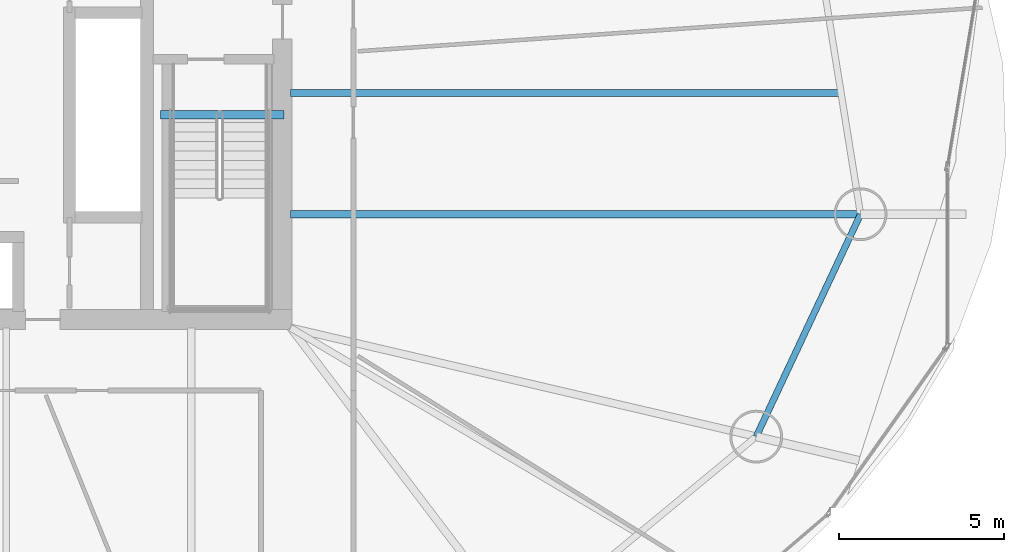
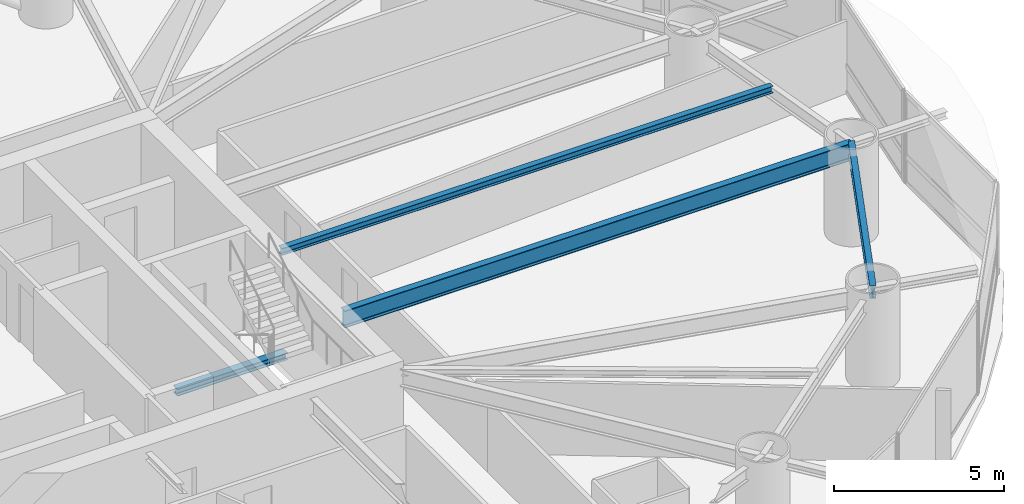
# One storey, part 9 of 25: 4 beams.
"""IFC4 building model written with IfcOpenShell, lengths in metres."""

from ifc_helpers import new_model, si_unit, direction, frame, origin, origin_2d, place, context, subcontext, project, spatial, i_section, extrude, material, material_profile, profile_set, type_object, element, save


model = new_model("IFC4")

# Units and contexts
model_context = context("Model", 3, precision=1e-05, world=origin(), true_north=direction((0.0, 1.0)))
body_context = subcontext(model_context, "Body", "Model", "MODEL_VIEW")
ifc_project = project(units=[si_unit("LENGTHUNIT", "METRE"), si_unit("AREAUNIT", "SQUARE_METRE"), si_unit("VOLUMEUNIT", "CUBIC_METRE"), si_unit("PLANEANGLEUNIT", "RADIAN"), si_unit("MASSUNIT", "GRAM", prefix="KILO")], contexts=[model_context])

# Site, building, storey
site_placement = place(None, origin())
site = spatial("IfcSite", under=ifc_project, at=site_placement, CompositionType="ELEMENT")
building_placement = place(site_placement, origin())
building = spatial("IfcBuilding", under=site, at=building_placement, Name="Bramvorn Convention Spire", CompositionType="ELEMENT")
storey_placement = place(building_placement, frame((0.0, 0.0, 55.39990234375)))
storey = spatial("IfcBuildingStorey", under=building, at=storey_placement, Name="L11", CompositionType="ELEMENT", Elevation=55.39990234375)

# Beams
ifc_material = material(Name="Steel CSA G40.21 Grade 350 (350W)", Category="steel")
ifc_material_profile_1 = material_profile(ifc_material, i_section(OverallWidth=0.201904296875, OverallDepth=0.2470703125, WebThickness=0.00732421875, FlangeThickness=0.010986328125, FilletRadius=0.011962890625, at=origin_2d()))
ifc_profile_set_1 = profile_set([ifc_material_profile_1], Name="Steel CSA G40.21 Grade 350 (350W) - W250X49")
beam_type_1 = type_object("IfcBeamType", Name="BM-W250X49", PredefinedType="JOIST", material=ifc_profile_set_1)
beam_1_placement = place(storey_placement, frame((49.25, 25.666015625, 3.126708984375), z_axis=(1.0, 0.0, 0.0), x_axis=(0.0, 1.0, 0.0)))
element("IfcBeam", 1, at=beam_1_placement, inside=storey, type_object=beam_type_1, Name="L11 composite floor joist 01", PredefinedType="JOIST", context=body_context, shape_type="SweptSolid", body=[
    extrude(i_section(OverallWidth=0.201904296875, OverallDepth=0.2470703125, WebThickness=0.00732421875, FlangeThickness=0.010986328125, FilletRadius=0.011962890625, at=origin_2d()), origin(), (0.0, 0.0, 1.0), 16.67919921875),
])
ifc_material_profile_2 = material_profile(ifc_material, i_section(OverallWidth=0.25390625, OverallDepth=0.2529296875, WebThickness=0.008544921875, FlangeThickness=0.01416015625, FilletRadius=0.011962890625, at=origin_2d()))
ifc_profile_set_2 = profile_set([ifc_material_profile_2], Name="Steel CSA G40.21 Grade 350 (350W) - W250X73")
beam_type_2 = type_object("IfcBeamType", Name="BM-W250X73", PredefinedType="BEAM", material=ifc_profile_set_2)
beam_2_placement = place(storey_placement, frame((45.31005859375, 25.010009765625, -0.12646484375), z_axis=(1.0, 0.0, 0.0), x_axis=(0.0, 1.0, 0.0)))
element("IfcBeam", 2, at=beam_2_placement, inside=storey, type_object=beam_type_2, Name="L11 ST2 stair arrival header beam", PredefinedType="BEAM", context=body_context, shape_type="SweptSolid", body=[
    extrude(i_section(OverallWidth=0.25390625, OverallDepth=0.2529296875, WebThickness=0.008544921875, FlangeThickness=0.01416015625, FilletRadius=0.011962890625, at=origin_2d()), origin(), (0.0, 0.0, 1.0), 3.739990234375),
])
ifc_material_profile_3 = material_profile(ifc_material, i_section(OverallWidth=0.194091796875, OverallDepth=0.468994140625, WebThickness=0.0126953125, FlangeThickness=0.0205078125, FilletRadius=0.01806640625, at=origin_2d()))
ifc_profile_set_3 = profile_set([ifc_material_profile_3], Name="Steel CSA G40.21 Grade 350 (350W) - W460X106")
beam_type_3 = type_object("IfcBeamType", Name="BM-W460X106", PredefinedType="SPANDREL", material=ifc_profile_set_3)
beam_3_placement = place(storey_placement, frame((63.35888671875, 15.253662109375, 3.015625), z_axis=(0.424701955478, 0.9053332254, 0.0), x_axis=(-0.9053332254, 0.424701955478, 0.0)))
element("IfcBeam", 3, at=beam_3_placement, inside=storey, type_object=beam_type_3, Name="L11 mega-column ring beam 16", PredefinedType="SPANDREL", context=body_context, shape_type="SweptSolid", body=[
    extrude(i_section(OverallWidth=0.194091796875, OverallDepth=0.468994140625, WebThickness=0.0126953125, FlangeThickness=0.0205078125, FilletRadius=0.01806640625, at=origin_2d()), origin(), (0.0, 0.0, 1.0), 7.442626953125),
])
ifc_material_profile_4 = material_profile(ifc_material, i_section(OverallWidth=0.22998046875, OverallDepth=0.616943359375, WebThickness=0.01318359375, FlangeThickness=0.022216796875, FilletRadius=0.02001953125, at=origin_2d()))
ifc_profile_set_4 = profile_set([ifc_material_profile_4], Name="Steel CSA G40.21 Grade 350 (350W) - W610X140")
beam_type_4 = type_object("IfcBeamType", Name="BM-W610X140", PredefinedType="BEAM", material=ifc_profile_set_4)
beam_4_placement = place(storey_placement, frame((49.25, 21.99169921875, 2.941650390625), z_axis=(1.0, 0.0, 0.0), x_axis=(0.0, 1.0, 0.0)))
element("IfcBeam", 4, at=beam_4_placement, inside=storey, type_object=beam_type_4, Name="L11 radial floor girder MC01", PredefinedType="BEAM", context=body_context, shape_type="SweptSolid", body=[
    extrude(i_section(OverallWidth=0.22998046875, OverallDepth=0.616943359375, WebThickness=0.01318359375, FlangeThickness=0.022216796875, FilletRadius=0.02001953125, at=origin_2d()), origin(), (0.0, 0.0, 1.0), 17.269775390625),
])

save(model, "model.ifc")
